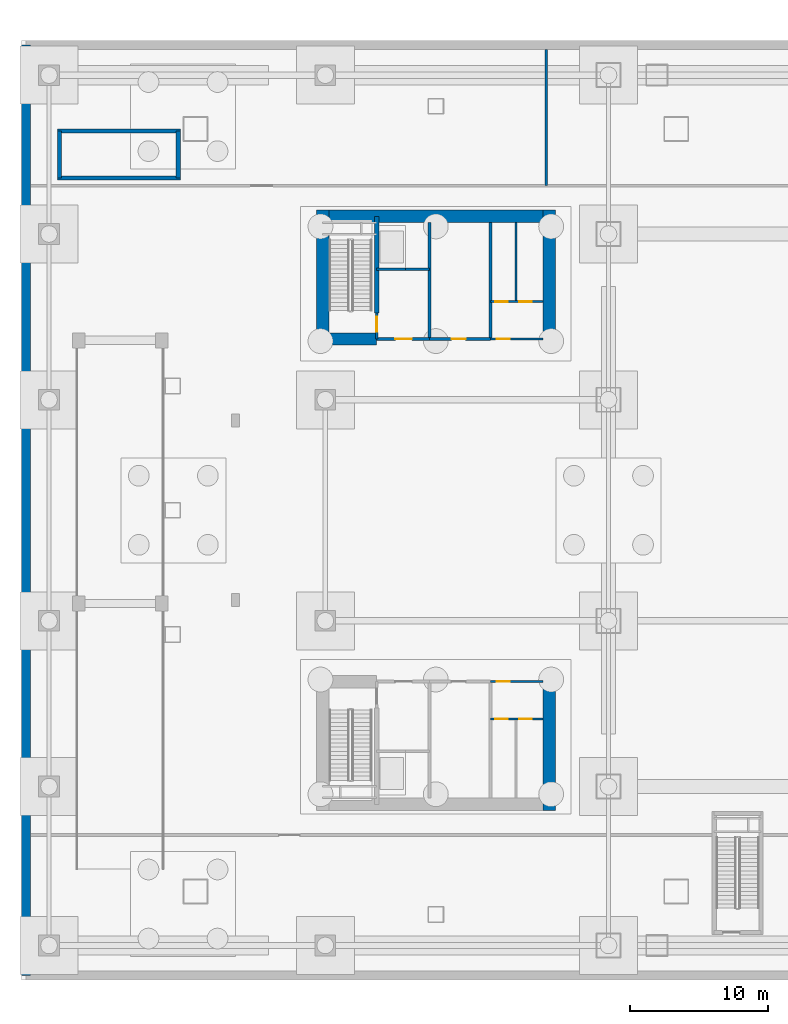
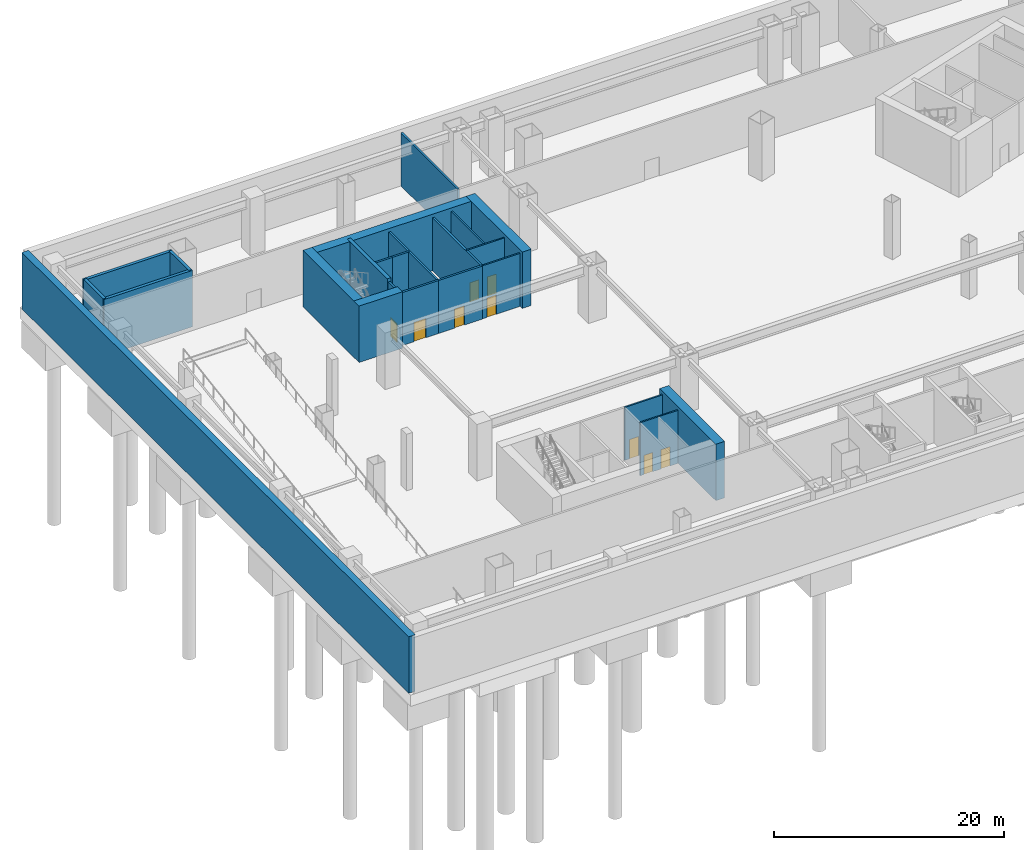
# One storey, part 10 of 20: 24 walls, 9 doors, 9 openings.
"""IFC4 building model written with IfcOpenShell, lengths in metres."""

from ifc_helpers import new_model, si_unit, direction, frame, frame_2d, origin, place, context, subcontext, project, spatial, rectangle, extrude, material, layer, layer_set, type_object, element, fill, save


model = new_model("IFC4")

# Units and contexts
model_context = context("Model", 3, precision=1e-05, world=origin(), true_north=direction((0.0, 1.0)))
body_context = subcontext(model_context, "Body", "Model", "MODEL_VIEW")
ifc_project = project(units=[si_unit("LENGTHUNIT", "METRE"), si_unit("AREAUNIT", "SQUARE_METRE"), si_unit("VOLUMEUNIT", "CUBIC_METRE"), si_unit("PLANEANGLEUNIT", "RADIAN"), si_unit("MASSUNIT", "GRAM", prefix="KILO")], contexts=[model_context])

# Site, building, storey
site_placement = place(None, origin())
site = spatial("IfcSite", under=ifc_project, at=site_placement, CompositionType="ELEMENT")
building_placement = place(site_placement, origin())
building = spatial("IfcBuilding", under=site, at=building_placement, Name="Qiaolan Cultural Towers", CompositionType="ELEMENT")
storey_placement = place(building_placement, frame((0.0, 0.0, -12.0)))
storey = spatial("IfcBuildingStorey", under=building, at=storey_placement, Name="B2", CompositionType="ELEMENT", Elevation=-12.0)

# Walls
ifc_material_1 = material(Name="Concrete C50", Category="concrete")
ifc_layer_1 = layer(ifc_material_1, 0.35009765625)
ifc_layer_set_1 = layer_set([ifc_layer_1], Name="Concrete C50")
wall_type_1 = type_object("IfcWallType", Name="WL-CORE-350", PredefinedType="SHEAR", material=ifc_layer_set_1)
wall_1_placement = place(storey_placement, frame((25.719970703125, 48.300048828125, 0.0), z_axis=(0.0, 0.0, 1.0), x_axis=(0.0, 1.0, 0.0)))
element("IfcWall", 1, at=wall_1_placement, inside=storey, type_object=wall_type_1, Name="B2 T1-CN Stair Core Dividing Web", PredefinedType="SHEAR", context=body_context, shape_type="SweptSolid", body=[
    extrude(rectangle(XDim=6.97998046875, YDim=0.35009765625, at=frame_2d((3.489990234375, 0.0))), origin(), (0.0, 0.0, 1.0), 6.0),
])
for number, where, z_axis, x_axis, name in (
    (2, (2.60009765625, 58.050048828125, 0.0), (0.0, 0.0, 1.0), (1.0, 0.0, 0.0), "B2 STP1 Stair Shaft Wall S"),
    (3, (2.60009765625, 61.449951171875, 0.0), (0.0, 0.0, 1.0), (1.0, 0.0, 0.0), "B2 STP1 Stair Shaft Wall N"),
):
    element("IfcWall", number, at=place(storey_placement, frame(where, z_axis=z_axis, x_axis=x_axis)), inside=storey, type_object=wall_type_1, Name=name, PredefinedType="SHEAR", context=body_context, shape_type="SweptSolid", body=[
        extrude(rectangle(XDim=8.89990234375, YDim=0.300048828125, at=frame_2d((4.449951171875, 0.0))), origin(), (0.0, 0.0, 1.0), 6.0),
    ])
for number, where, z_axis, x_axis, name in (
    (4, (11.35009765625, 58.050048828125, 0.0), (0.0, 0.0, 1.0), (0.0, 1.0, 0.0), "B2 STP1 Stair Shaft Wall E"),
    (5, (2.75, 58.050048828125, 0.0), (0.0, 0.0, 1.0), (0.0, 1.0, 0.0), "B2 STP1 Stair Shaft Wall W"),
):
    element("IfcWall", number, at=place(storey_placement, frame(where, z_axis=z_axis, x_axis=x_axis)), inside=storey, type_object=wall_type_1, Name=name, PredefinedType="SHEAR", context=body_context, shape_type="SweptSolid", body=[
        extrude(rectangle(XDim=3.39990234375, YDim=0.300048828125, at=frame_2d((1.699951171875, 0.0))), origin(), (0.0, 0.0, 1.0), 6.0),
    ])
ifc_material_2 = material(Name="Concrete C60", Category="concrete")
ifc_layer_2 = layer(ifc_material_2, 0.89990234375)
ifc_layer_set_2 = layer_set([ifc_layer_2], Name="Concrete C60")
wall_type_2 = type_object("IfcWallType", Name="WL-CORE-900", PredefinedType="SHEAR", material=ifc_layer_set_2)
wall_2_placement = place(storey_placement, frame((38.199951171875, 22.050048828125, 0.0), z_axis=(0.0, 0.0, 1.0), x_axis=(0.0, -1.0, 0.0)))
element("IfcWall", 6, at=wall_2_placement, inside=storey, type_object=wall_type_2, Name="B2 T1-CS East Core Shear Wall", PredefinedType="SHEAR", context=body_context, shape_type="SweptSolid", body=[
    extrude(rectangle(XDim=9.780029296875, YDim=0.89990234375, at=frame_2d((4.89013671875, 0.0))), origin(), (0.0, 0.0, 1.0), 6.0),
])
wall_3_placement = place(storey_placement, frame((21.35009765625, 55.280029296875, 0.0), z_axis=(0.0, 0.0, 1.0), x_axis=(1.0, 0.0, 0.0)))
element("IfcWall", 7, at=wall_3_placement, inside=storey, type_object=wall_type_2, Name="B2 T1-CN Outer Core Shear Wall", PredefinedType="SHEAR", context=body_context, shape_type="SweptSolid", body=[
    extrude(rectangle(XDim=17.2998046875, YDim=0.89990234375, at=frame_2d((8.64990234375, 0.0))), origin(), (0.0, 0.0, 1.0), 6.0),
])
for number, where, z_axis, x_axis, name in (
    (8, (21.800048828125, 45.949951171875, 0.0), (0.0, 0.0, 1.0), (0.0, 1.0, 0.0), "B2 T1-CN West Core Shear Wall"),
    (9, (38.199951171875, 45.949951171875, 0.0), (0.0, 0.0, 1.0), (0.0, 1.0, 0.0), "B2 T1-CN East Core Shear Wall"),
):
    element("IfcWall", number, at=place(storey_placement, frame(where, z_axis=z_axis, x_axis=x_axis)), inside=storey, type_object=wall_type_2, Name=name, PredefinedType="SHEAR", context=body_context, shape_type="SweptSolid", body=[
        extrude(rectangle(XDim=9.780029296875, YDim=0.89990234375, at=frame_2d((4.89013671875, 0.0))), origin(), (0.0, 0.0, 1.0), 6.0),
    ])
wall_4_placement = place(storey_placement, frame((21.35009765625, 46.39990234375, 0.0), z_axis=(0.0, 0.0, 1.0), x_axis=(1.0, 0.0, 0.0)))
element("IfcWall", 10, at=wall_4_placement, inside=storey, type_object=wall_type_2, Name="B2 T1-CN Stair Front Shear Wall", PredefinedType="SHEAR", context=body_context, shape_type="SweptSolid", body=[
    extrude(rectangle(XDim=4.369873046875, YDim=0.89990234375, at=frame_2d((2.18505859375, 0.0))), origin(), (0.0, 0.0, 1.0), 6.0),
])

# Wall, opening, door
ifc_material_3 = material(Name="Concrete C35 Fire Wall", Category="concrete")
ifc_layer_3 = layer(ifc_material_3, 0.199951171875)
ifc_layer_set_3 = layer_set([ifc_layer_3], Name="Concrete C35 Fire Wall")
wall_type_3 = type_object("IfcWallType", Name="WL-FIRE-200", PredefinedType="PARTITIONING", material=ifc_layer_set_3)
wall_5_placement = place(storey_placement, frame((25.719970703125, 46.39990234375, 0.0), z_axis=(0.0, 0.0, 1.0), x_axis=(0.0, 1.0, 0.0)))
wall_5 = element("IfcWall", 11, at=wall_5_placement, inside=storey, type_object=wall_type_3, Name="B2 T1-CN Smokeproof Stair Entry Wall", PredefinedType="PARTITIONING", context=body_context, shape_type="SweptSolid", body=[
    extrude(rectangle(XDim=1.900146484375, YDim=0.199951171875, at=frame_2d((0.9501953125, 0.0))), origin(), (0.0, 0.0, 1.0), 5.635009765625),
])
opening_1_placement = place(wall_5_placement, frame((0.52001953125, 0.0, 0.0)))
opening_1 = element("IfcOpeningElement", 12, at=opening_1_placement, cuts=wall_5, Name="Opening FD-04", PredefinedType="OPENING", context=body_context, shape_type="SweptSolid", body=[
    extrude(rectangle(XDim=1.10009765625, YDim=2.050048828125, at=frame_2d((0.550048828125, 1.02490234375))), frame((0.0, 0.10986328125, 0.0), z_axis=(0.0, -1.0, 0.0), x_axis=(1.0, 0.0, 0.0)), (0.0, 0.0, 1.0), 0.219970703125),
])
ifc_material_4 = material(Name="Galvanized Steel Command Fire Door", Category="steel")
door_type_1 = type_object("IfcDoorType", Name="DR-FD90-1100", OperationType="NOTDEFINED", PredefinedType="DOOR", material=ifc_material_4)
door_1_placement = place(opening_1_placement, origin())
door_1 = element("IfcDoor", 13, at=door_1_placement, inside=storey, type_object=door_type_1, Name="B2 ST-W2 Smokeproof Stair Fire Door", OperationType="SINGLE_SWING_LEFT", OverallHeight=2.050048828125, OverallWidth=1.10009765625, PredefinedType="DOOR", context=body_context, shape_type="SweptSolid", body=[
    extrude(rectangle(XDim=1.10009765625, YDim=2.050048828125, at=frame_2d((0.550048828125, 1.02490234375))), frame((0.0, 0.02490234375, 0.0), z_axis=(0.0, -1.0, 0.0), x_axis=(1.0, 0.0, 0.0)), (0.0, 0.0, 1.0), 0.050048828125),
])
fill(opening_1, door_1)

# Wall
wall_6_placement = place(storey_placement, frame((29.550048828125, 46.39990234375, 0.0), z_axis=(0.0, 0.0, 1.0), x_axis=(0.0, 1.0, 0.0)))
element("IfcWall", 14, at=wall_6_placement, inside=storey, type_object=wall_type_3, Name="B2 T1-CN Firefighting Zone Wall", PredefinedType="PARTITIONING", context=body_context, shape_type="SweptSolid", body=[
    extrude(rectangle(XDim=8.43017578125, YDim=0.199951171875, at=frame_2d((4.215087890625, 0.0))), origin(), (0.0, 0.0, 1.0), 5.635009765625),
])

# Wall, opening, door
wall_7_placement = place(storey_placement, frame((25.719970703125, 46.39990234375, 0.0), z_axis=(0.0, 0.0, 1.0), x_axis=(1.0, 0.0, 0.0)))
wall_7 = element("IfcWall", 15, at=wall_7_placement, inside=storey, type_object=wall_type_3, Name="B2 T1-CN Firefighting Lobby Front Wall", PredefinedType="PARTITIONING", context=body_context, shape_type="SweptSolid", body=[
    extrude(rectangle(XDim=3.830078125, YDim=0.199951171875, at=frame_2d((1.9150390625, 0.0))), origin(), (0.0, 0.0, 1.0), 5.635009765625),
])
opening_2_placement = place(wall_7_placement, frame((1.35009765625, 0.0, 0.0)))
opening_2 = element("IfcOpeningElement", 16, at=opening_2_placement, cuts=wall_7, Name="Opening FD-03", PredefinedType="OPENING", context=body_context, shape_type="SweptSolid", body=[
    extrude(rectangle(XDim=1.199951171875, YDim=2.050048828125, at=frame_2d((0.60009765625, 1.02490234375))), frame((0.0, 0.10986328125, 0.0), z_axis=(0.0, -1.0, 0.0), x_axis=(1.0, 0.0, 0.0)), (0.0, 0.0, 1.0), 0.219970703125),
])
ifc_material_5 = material(Name="Galvanized Steel Smokeproof Lobby Fire Door", Category="steel")
door_type_2 = type_object("IfcDoorType", Name="DR-FD90-1200", OperationType="NOTDEFINED", PredefinedType="DOOR", material=ifc_material_5)
door_2_placement = place(opening_2_placement, origin())
door_2 = element("IfcDoor", 17, at=door_2_placement, inside=storey, type_object=door_type_2, Name="B2 FFL-W2 Firefighting Lobby Fire Door", OperationType="SINGLE_SWING_LEFT", OverallHeight=2.050048828125, OverallWidth=1.199951171875, PredefinedType="DOOR", context=body_context, shape_type="SweptSolid", body=[
    extrude(rectangle(XDim=1.199951171875, YDim=2.050048828125, at=frame_2d((0.60009765625, 1.02490234375))), frame((0.0, 0.02490234375, 0.0), z_axis=(0.0, -1.0, 0.0), x_axis=(1.0, 0.0, 0.0)), (0.0, 0.0, 1.0), 0.050048828125),
])
fill(opening_2, door_2)

# Walls
wall_8_placement = place(storey_placement, frame((25.719970703125, 51.449951171875, 0.0), z_axis=(0.0, 0.0, 1.0), x_axis=(1.0, 0.0, 0.0)))
element("IfcWall", 18, at=wall_8_placement, inside=storey, type_object=wall_type_3, Name="B2 T1-CN Firefighting Shaft Front Wall", PredefinedType="PARTITIONING", context=body_context, shape_type="SweptSolid", body=[
    extrude(rectangle(XDim=2.10009765625, YDim=0.199951171875, at=frame_2d((1.050048828125, 0.0))), origin(), (0.0, 0.0, 1.0), 5.635009765625),
])
wall_9_placement = place(storey_placement, frame((27.820068359375, 51.449951171875, 0.0), z_axis=(0.0, 0.0, 1.0), x_axis=(1.0, 0.0, 0.0)))
element("IfcWall", 19, at=wall_9_placement, inside=storey, type_object=wall_type_3, Name="B2 T1-CN Firefighting Pit Wall", PredefinedType="PARTITIONING", context=body_context, shape_type="SweptSolid", body=[
    extrude(rectangle(XDim=1.72998046875, YDim=0.199951171875, at=frame_2d((0.864990234375, 0.0))), origin(), (0.0, 0.0, 1.0), 5.635009765625),
])
wall_10_placement = place(storey_placement, frame((33.949951171875, 46.39990234375, 0.0), z_axis=(0.0, 0.0, 1.0), x_axis=(0.0, 1.0, 0.0)))
element("IfcWall", 20, at=wall_10_placement, inside=storey, type_object=wall_type_3, Name="B2 T1-CN Lift Core East Wall", PredefinedType="PARTITIONING", context=body_context, shape_type="SweptSolid", body=[
    extrude(rectangle(XDim=8.43017578125, YDim=0.199951171875, at=frame_2d((4.215087890625, 0.0))), origin(), (0.0, 0.0, 1.0), 5.635009765625),
])

# Wall, opening, door
wall_11_placement = place(storey_placement, frame((29.550048828125, 46.39990234375, 0.0), z_axis=(0.0, 0.0, 1.0), x_axis=(1.0, 0.0, 0.0)))
wall_11 = element("IfcWall", 21, at=wall_11_placement, inside=storey, type_object=wall_type_3, Name="B2 T1-CN Basement Core Store Front Wall", PredefinedType="PARTITIONING", context=body_context, shape_type="SweptSolid", body=[
    extrude(rectangle(XDim=4.39990234375, YDim=0.199951171875, at=frame_2d((2.199951171875, 0.0))), origin(), (0.0, 0.0, 1.0), 5.635009765625),
])
opening_3_placement = place(wall_11_placement, frame((1.60009765625, 0.0, 0.0)))
opening_3 = element("IfcOpeningElement", 22, at=opening_3_placement, cuts=wall_11, Name="Opening FD-07", PredefinedType="OPENING", context=body_context, shape_type="SweptSolid", body=[
    extrude(rectangle(XDim=1.0, YDim=2.050048828125, at=frame_2d((0.5, 1.02490234375))), frame((0.0, 0.10986328125, 0.0), z_axis=(0.0, -1.0, 0.0), x_axis=(1.0, 0.0, 0.0)), (0.0, 0.0, 1.0), 0.219970703125),
])
ifc_material_6 = material(Name="Painted Steel Riser Fire Door", Category="steel")
door_type_3 = type_object("IfcDoorType", Name="DR-FD60-1000", OperationType="NOTDEFINED", PredefinedType="DOOR", material=ifc_material_6)
door_3_placement = place(opening_3_placement, origin())
door_3 = element("IfcDoor", 23, at=door_3_placement, inside=storey, type_object=door_type_3, Name="B2 Core Maintenance Store Door", OperationType="SINGLE_SWING_LEFT", OverallHeight=2.050048828125, OverallWidth=1.0, PredefinedType="DOOR", context=body_context, shape_type="SweptSolid", body=[
    extrude(rectangle(XDim=1.0, YDim=2.050048828125, at=frame_2d((0.5, 1.02490234375))), frame((0.0, 0.02490234375, 0.0), z_axis=(0.0, -1.0, 0.0), x_axis=(1.0, 0.0, 0.0)), (0.0, 0.0, 1.0), 0.050048828125),
])
fill(opening_3, door_3)

# Wall
wall_12_placement = place(storey_placement, frame((38.0, 57.5, 0.0), z_axis=(0.0, 0.0, 1.0), x_axis=(0.0, 1.0, 0.0)))
element("IfcWall", 24, at=wall_12_placement, inside=storey, type_object=wall_type_3, Name="B2 Podium Partition B2-PM1", PredefinedType="PARTITIONING", context=body_context, shape_type="SweptSolid", body=[
    extrude(rectangle(XDim=9.85009765625, YDim=0.199951171875, at=frame_2d((4.925048828125, 0.0))), origin(), (0.0, 0.0, 1.0), 5.635009765625),
])

# Wall, opening, door
ifc_material_7 = material(Name="Autoclaved Aerated Concrete Block B06", Category="concrete")
ifc_layer_4 = layer(ifc_material_7, 0.14990234375)
ifc_layer_set_4 = layer_set([ifc_layer_4], Name="Autoclaved Aerated Concrete Block B06")
wall_type_4 = type_object("IfcWallType", Name="WL-PART-150", PredefinedType="PARTITIONING", material=ifc_layer_set_4)
wall_13_placement = place(storey_placement, frame((33.949951171875, 21.60009765625, 0.0), z_axis=(0.0, 0.0, 1.0), x_axis=(1.0, 0.0, 0.0)))
wall_13 = element("IfcWall", 25, at=wall_13_placement, inside=storey, type_object=wall_type_4, Name="B2 T1-CS Sanitary Core Front Wall", PredefinedType="PARTITIONING", context=body_context, shape_type="SweptSolid", body=[
    extrude(rectangle(XDim=3.800048828125, YDim=0.14990234375, at=frame_2d((1.89990234375, 0.0))), origin(), (0.0, 0.0, 1.0), 5.635009765625),
])
opening_4_placement = place(wall_13_placement, frame((0.449951171875, 0.0, 0.0)))
opening_4 = element("IfcOpeningElement", 26, at=opening_4_placement, cuts=wall_13, Name="Opening ID-05", PredefinedType="OPENING", context=body_context, shape_type="SweptSolid", body=[
    extrude(rectangle(XDim=0.949951171875, YDim=2.050048828125, at=frame_2d((0.47509765625, 1.02490234375))), frame((0.0, 0.0849609375, 0.0), z_axis=(0.0, -1.0, 0.0), x_axis=(1.0, 0.0, 0.0)), (0.0, 0.0, 1.0), 0.169921875),
])
ifc_material_8 = material(Name="Fire-Rated Laminate Accessible Core Door", Category="timber")
door_type_4 = type_object("IfcDoorType", Name="DR-INT-950", OperationType="NOTDEFINED", PredefinedType="DOOR", material=ifc_material_8)
door_4_placement = place(opening_4_placement, origin())
door_4 = element("IfcDoor", 27, at=door_4_placement, inside=storey, type_object=door_type_4, Name="B2 Sanitary Vestibule Door", OperationType="SINGLE_SWING_LEFT", OverallHeight=2.050048828125, OverallWidth=0.949951171875, PredefinedType="DOOR", context=body_context, shape_type="SweptSolid", body=[
    extrude(rectangle(XDim=0.949951171875, YDim=2.050048828125, at=frame_2d((0.47509765625, 1.02490234375))), frame((0.0, 0.02490234375, 0.0), z_axis=(0.0, -1.0, 0.0), x_axis=(1.0, 0.0, 0.0)), (0.0, 0.0, 1.0), 0.050048828125),
])
fill(opening_4, door_4)

# Wall, openings, doors
wall_14_placement = place(storey_placement, frame((33.949951171875, 18.89990234375, 0.0), z_axis=(0.0, 0.0, 1.0), x_axis=(1.0, 0.0, 0.0)))
wall_14 = element("IfcWall", 28, at=wall_14_placement, inside=storey, type_object=wall_type_4, Name="B2 T1-CS Restroom Vestibule Wall", PredefinedType="PARTITIONING", context=body_context, shape_type="SweptSolid", body=[
    extrude(rectangle(XDim=3.800048828125, YDim=0.14990234375, at=frame_2d((1.89990234375, 0.0))), origin(), (0.0, 0.0, 1.0), 5.635009765625),
])
opening_5_placement = place(wall_14_placement, frame((0.35009765625, 0.0, 0.0)))
opening_5 = element("IfcOpeningElement", 29, at=opening_5_placement, cuts=wall_14, Name="Opening ID-06", PredefinedType="OPENING", context=body_context, shape_type="SweptSolid", body=[
    extrude(rectangle(XDim=0.89990234375, YDim=2.050048828125, at=frame_2d((0.449951171875, 1.02490234375))), frame((0.0, 0.0849609375, 0.0), z_axis=(0.0, -1.0, 0.0), x_axis=(1.0, 0.0, 0.0)), (0.0, 0.0, 1.0), 0.169921875),
])
opening_6_placement = place(wall_14_placement, frame((2.10009765625, 0.0, 0.0)))
opening_6 = element("IfcOpeningElement", 30, at=opening_6_placement, cuts=wall_14, Name="Opening ID-06", PredefinedType="OPENING", context=body_context, shape_type="SweptSolid", body=[
    extrude(rectangle(XDim=0.89990234375, YDim=2.050048828125, at=frame_2d((0.449951171875, 1.02490234375))), frame((0.0, 0.0849609375, 0.0), z_axis=(0.0, -1.0, 0.0), x_axis=(1.0, 0.0, 0.0)), (0.0, 0.0, 1.0), 0.169921875),
])
ifc_material_9 = material(Name="Fire-Rated Laminate Core Service Door", Category="timber")
door_type_5 = type_object("IfcDoorType", Name="DR-INT-900", OperationType="NOTDEFINED", PredefinedType="DOOR", material=ifc_material_9)
door_5_placement = place(opening_5_placement, origin())
door_5 = element("IfcDoor", 31, at=door_5_placement, inside=storey, type_object=door_type_5, Name="B2 Men Restroom Door", OperationType="SINGLE_SWING_LEFT", OverallHeight=2.050048828125, OverallWidth=0.89990234375, PredefinedType="DOOR", context=body_context, shape_type="SweptSolid", body=[
    extrude(rectangle(XDim=0.89990234375, YDim=2.050048828125, at=frame_2d((0.449951171875, 1.02490234375))), frame((0.0, 0.02490234375, 0.0), z_axis=(0.0, -1.0, 0.0), x_axis=(1.0, 0.0, 0.0)), (0.0, 0.0, 1.0), 0.050048828125),
])
fill(opening_5, door_5)
door_6_placement = place(opening_6_placement, origin())
door_6 = element("IfcDoor", 32, at=door_6_placement, inside=storey, type_object=door_type_5, Name="B2 Accessible & Women Restroom Door", OperationType="SINGLE_SWING_RIGHT", OverallHeight=2.050048828125, OverallWidth=0.89990234375, PredefinedType="DOOR", context=body_context, shape_type="SweptSolid", body=[
    extrude(rectangle(XDim=0.89990234375, YDim=2.050048828125, at=frame_2d((0.449951171875, 1.02490234375))), frame((0.0, 0.02490234375, 0.0), z_axis=(0.0, -1.0, 0.0), x_axis=(1.0, 0.0, 0.0)), (0.0, 0.0, 1.0), 0.050048828125),
])
fill(opening_6, door_6)

# Wall, opening, door
wall_15_placement = place(storey_placement, frame((33.949951171875, 46.39990234375, 0.0), z_axis=(0.0, 0.0, 1.0), x_axis=(1.0, 0.0, 0.0)))
wall_15 = element("IfcWall", 33, at=wall_15_placement, inside=storey, type_object=wall_type_4, Name="B2 T1-CN Sanitary Core Front Wall", PredefinedType="PARTITIONING", context=body_context, shape_type="SweptSolid", body=[
    extrude(rectangle(XDim=3.800048828125, YDim=0.14990234375, at=frame_2d((1.89990234375, 0.0))), origin(), (0.0, 0.0, 1.0), 5.635009765625),
])
opening_7_placement = place(wall_15_placement, frame((0.449951171875, 0.0, 0.0)))
opening_7 = element("IfcOpeningElement", 34, at=opening_7_placement, cuts=wall_15, Name="Opening ID-05", PredefinedType="OPENING", context=body_context, shape_type="SweptSolid", body=[
    extrude(rectangle(XDim=0.949951171875, YDim=2.050048828125, at=frame_2d((0.47509765625, 1.02490234375))), frame((0.0, 0.0849609375, 0.0), z_axis=(0.0, -1.0, 0.0), x_axis=(1.0, 0.0, 0.0)), (0.0, 0.0, 1.0), 0.169921875),
])
door_7_placement = place(opening_7_placement, origin())
door_7 = element("IfcDoor", 35, at=door_7_placement, inside=storey, type_object=door_type_4, Name="B2 Sanitary Vestibule Door", OperationType="SINGLE_SWING_LEFT", OverallHeight=2.050048828125, OverallWidth=0.949951171875, PredefinedType="DOOR", context=body_context, shape_type="SweptSolid", body=[
    extrude(rectangle(XDim=0.949951171875, YDim=2.050048828125, at=frame_2d((0.47509765625, 1.02490234375))), frame((0.0, 0.02490234375, 0.0), z_axis=(0.0, -1.0, 0.0), x_axis=(1.0, 0.0, 0.0)), (0.0, 0.0, 1.0), 0.050048828125),
])
fill(opening_7, door_7)

# Wall, openings, doors
wall_16_placement = place(storey_placement, frame((33.949951171875, 49.10009765625, 0.0), z_axis=(0.0, 0.0, 1.0), x_axis=(1.0, 0.0, 0.0)))
wall_16 = element("IfcWall", 36, at=wall_16_placement, inside=storey, type_object=wall_type_4, Name="B2 T1-CN Restroom Vestibule Wall", PredefinedType="PARTITIONING", context=body_context, shape_type="SweptSolid", body=[
    extrude(rectangle(XDim=3.800048828125, YDim=0.14990234375, at=frame_2d((1.89990234375, 0.0))), origin(), (0.0, 0.0, 1.0), 5.635009765625),
])
opening_8_placement = place(wall_16_placement, frame((0.35009765625, 0.0, 0.0)))
opening_8 = element("IfcOpeningElement", 37, at=opening_8_placement, cuts=wall_16, Name="Opening ID-06", PredefinedType="OPENING", context=body_context, shape_type="SweptSolid", body=[
    extrude(rectangle(XDim=0.89990234375, YDim=2.050048828125, at=frame_2d((0.449951171875, 1.02490234375))), frame((0.0, 0.0849609375, 0.0), z_axis=(0.0, -1.0, 0.0), x_axis=(1.0, 0.0, 0.0)), (0.0, 0.0, 1.0), 0.169921875),
])
opening_9_placement = place(wall_16_placement, frame((2.10009765625, 0.0, 0.0)))
opening_9 = element("IfcOpeningElement", 38, at=opening_9_placement, cuts=wall_16, Name="Opening ID-06", PredefinedType="OPENING", context=body_context, shape_type="SweptSolid", body=[
    extrude(rectangle(XDim=0.89990234375, YDim=2.050048828125, at=frame_2d((0.449951171875, 1.02490234375))), frame((0.0, 0.0849609375, 0.0), z_axis=(0.0, -1.0, 0.0), x_axis=(1.0, 0.0, 0.0)), (0.0, 0.0, 1.0), 0.169921875),
])
door_8_placement = place(opening_8_placement, origin())
door_8 = element("IfcDoor", 39, at=door_8_placement, inside=storey, type_object=door_type_5, Name="B2 Men Restroom Door", OperationType="SINGLE_SWING_LEFT", OverallHeight=2.050048828125, OverallWidth=0.89990234375, PredefinedType="DOOR", context=body_context, shape_type="SweptSolid", body=[
    extrude(rectangle(XDim=0.89990234375, YDim=2.050048828125, at=frame_2d((0.449951171875, 1.02490234375))), frame((0.0, 0.02490234375, 0.0), z_axis=(0.0, -1.0, 0.0), x_axis=(1.0, 0.0, 0.0)), (0.0, 0.0, 1.0), 0.050048828125),
])
fill(opening_8, door_8)
door_9_placement = place(opening_9_placement, origin())
door_9 = element("IfcDoor", 40, at=door_9_placement, inside=storey, type_object=door_type_5, Name="B2 Accessible & Women Restroom Door", OperationType="SINGLE_SWING_RIGHT", OverallHeight=2.050048828125, OverallWidth=0.89990234375, PredefinedType="DOOR", context=body_context, shape_type="SweptSolid", body=[
    extrude(rectangle(XDim=0.89990234375, YDim=2.050048828125, at=frame_2d((0.449951171875, 1.02490234375))), frame((0.0, 0.02490234375, 0.0), z_axis=(0.0, -1.0, 0.0), x_axis=(1.0, 0.0, 0.0)), (0.0, 0.0, 1.0), 0.050048828125),
])
fill(opening_9, door_9)

# Walls
wall_17_placement = place(storey_placement, frame((35.800048828125, 49.10009765625, 0.0), z_axis=(0.0, 0.0, 1.0), x_axis=(0.0, 1.0, 0.0)))
element("IfcWall", 41, at=wall_17_placement, inside=storey, type_object=wall_type_4, Name="B2 T1-CN Restroom Divider Wall", PredefinedType="PARTITIONING", context=body_context, shape_type="SweptSolid", body=[
    extrude(rectangle(XDim=5.72998046875, YDim=0.14990234375, at=frame_2d((2.864990234375, 0.0))), origin(), (0.0, 0.0, 1.0), 5.635009765625),
])
ifc_material_10 = material(Name="Concrete C50", Category="concrete")
ifc_layer_5 = layer(ifc_material_10, 0.64990234375)
ifc_layer_set_5 = layer_set([ifc_layer_5], Name="Concrete C50")
wall_type_5 = type_object("IfcWallType", Name="WL-RET-650", PredefinedType="SHEAR", material=ifc_layer_set_5)
wall_18_placement = place(storey_placement, frame((0.324951171875, 0.324951171875, 0.0), z_axis=(0.0, 0.0, 1.0), x_axis=(0.0, 1.0, 0.0)))
element("IfcWall", 42, at=wall_18_placement, inside=storey, type_object=wall_type_5, Name="B2 Basement Retaining Wall WEST", PredefinedType="SHEAR", context=body_context, shape_type="SweptSolid", body=[
    extrude(rectangle(XDim=67.35009765625, YDim=0.64990234375, at=frame_2d((33.675048828125, 0.0))), origin(), (0.0, 0.0, 1.0), 6.0),
])

save(model, "model.ifc")
